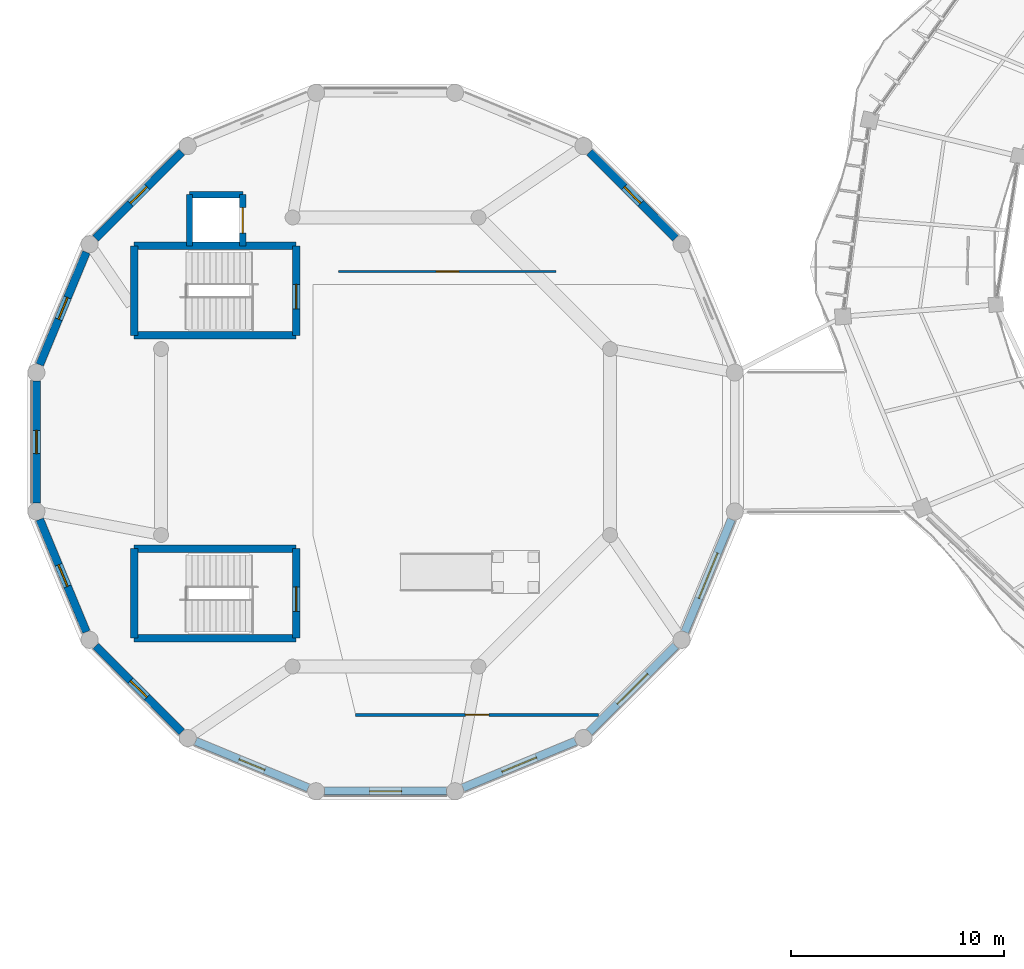
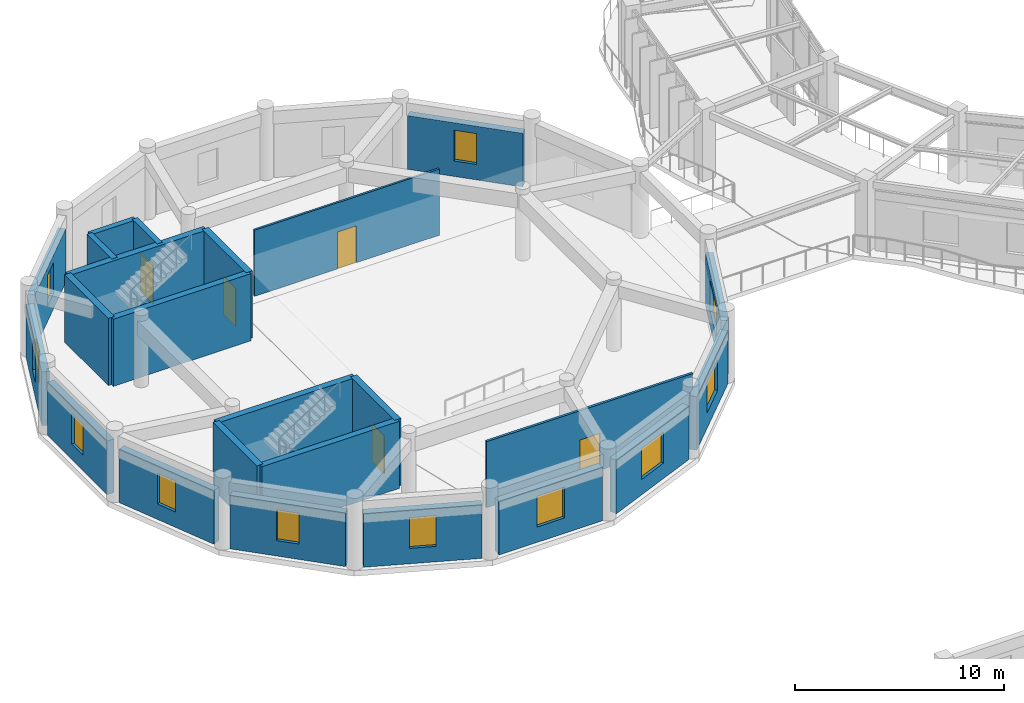
# One storey, part 122 of 152: 24 walls, 11 windows, 5 doors, 16 openings.
"""IFC4 building model written with IfcOpenShell, lengths in metres."""

from ifc_helpers import new_model, si_unit, direction, frame, frame_2d, origin, place, context, subcontext, project, spatial, rectangle, extrude, material, layer, layer_set, type_object, element, fill, save


model = new_model("IFC4")

# Units and contexts
model_context = context("Model", 3, precision=1e-05, world=origin(), true_north=direction((0.0, 1.0)))
body_context = subcontext(model_context, "Body", "Model", "MODEL_VIEW")
ifc_project = project(units=[si_unit("LENGTHUNIT", "METRE"), si_unit("AREAUNIT", "SQUARE_METRE"), si_unit("VOLUMEUNIT", "CUBIC_METRE"), si_unit("PLANEANGLEUNIT", "RADIAN"), si_unit("MASSUNIT", "GRAM", prefix="KILO"), si_unit("THERMODYNAMICTEMPERATUREUNIT", "KELVIN"), si_unit("POWERUNIT", "WATT")], contexts=[model_context])

# Site, building, storey
site_placement = place(None, origin())
site = spatial("IfcSite", under=ifc_project, at=site_placement, CompositionType="ELEMENT")
building_placement = place(site_placement, origin())
building = spatial("IfcBuilding", under=site, at=building_placement, Name="Darbajah Civic Hall", CompositionType="ELEMENT")
storey_placement = place(building_placement, frame((0.0, 0.0, 5.39990234375)))
storey = spatial("IfcBuildingStorey", under=building, at=storey_placement, Name="L01", CompositionType="ELEMENT", Elevation=5.39990234375)

# Walls
ifc_material_1 = material(Name="Concrete C45/55", Category="concrete")
ifc_layer_1 = layer(ifc_material_1, 0.300048828125, Name="Concrete C45/55")
ifc_layer_set_1 = layer_set([ifc_layer_1], Name="Concrete C45/55")
wall_type_1 = type_object("IfcWallType", Name="Core Shear Wall 300mm", PredefinedType="SHEAR", material=ifc_layer_set_1)
wall_1_placement = place(storey_placement, frame((10.10009765625, 93.199951171875, 0.0), z_axis=(0.0, 0.0, 1.0), x_axis=(-1.0, 0.0, 0.0)))
element("IfcWall", 1, at=wall_1_placement, inside=storey, type_object=wall_type_1, Name="L01 lift PL2 shaft wall N", PredefinedType="SHEAR", context=body_context, shape_type="SweptSolid", body=[
    extrude(rectangle(XDim=2.5, YDim=0.300048828125, at=frame_2d((1.25, 0.0))), origin(), (0.0, 0.0, 1.0), 3.920166015625),
])
wall_2_placement = place(storey_placement, frame((7.60009765625, 93.199951171875, 0.0), z_axis=(0.0, 0.0, 1.0), x_axis=(0.0, -1.0, 0.0)))
element("IfcWall", 2, at=wall_2_placement, inside=storey, type_object=wall_type_1, Name="L01 lift PL2 shaft wall W", PredefinedType="SHEAR", context=body_context, shape_type="SweptSolid", body=[
    extrude(rectangle(XDim=2.39990234375, YDim=0.300048828125, at=frame_2d((1.199951171875, 0.0))), origin(), (0.0, 0.0, 1.0), 3.920166015625),
])

# Wall, opening, door
wall_3_placement = place(storey_placement, frame((10.10009765625, 90.800048828125, 0.0), z_axis=(0.0, 0.0, 1.0), x_axis=(0.0, 1.0, 0.0)))
wall_3 = element("IfcWall", 3, at=wall_3_placement, inside=storey, type_object=wall_type_1, Name="L01 lift PL2 shaft wall E", PredefinedType="SHEAR", context=body_context, shape_type="SweptSolid", body=[
    extrude(rectangle(XDim=2.39990234375, YDim=0.300048828125, at=frame_2d((1.199951171875, 0.0))), origin(), (0.0, 0.0, 1.0), 3.920166015625),
])
opening_1_placement = place(wall_3_placement, frame((0.60009765625, 0.0, 0.0)))
opening_1 = element("IfcOpeningElement", 4, at=opening_1_placement, cuts=wall_3, Name="Opening LD-0064", PredefinedType="OPENING", context=body_context, shape_type="SweptSolid", body=[
    extrude(rectangle(XDim=1.199951171875, YDim=2.25, at=frame_2d((0.60009765625, 1.125))), frame((0.0, 0.159912109375, 0.0), z_axis=(0.0, -1.0, 0.0), x_axis=(1.0, 0.0, 0.0)), (0.0, 0.0, 1.0), 0.320068359375),
])
ifc_material_2 = material(Name="Stainless Lift Landing Door")
door_type_1 = type_object("IfcDoorType", Name="Lift Landing Door 1200x2250", OperationType="SLIDING_TO_LEFT", PredefinedType="DOOR", material=ifc_material_2)
door_1_placement = place(opening_1_placement, origin())
door_1 = element("IfcDoor", 5, at=door_1_placement, inside=storey, type_object=door_type_1, Name="L01 lift PL2 landing door LD-0064", OperationType="SLIDING_TO_LEFT", OverallHeight=2.25, OverallWidth=1.199951171875, PredefinedType="DOOR", context=body_context, shape_type="SweptSolid", body=[
    extrude(rectangle(XDim=1.199951171875, YDim=2.25, at=frame_2d((0.60009765625, 1.125))), frame((0.0, 0.02490234375, 0.0), z_axis=(0.0, -1.0, 0.0), x_axis=(1.0, 0.0, 0.0)), (0.0, 0.0, 1.0), 0.050048828125),
])
fill(opening_1, door_1)

# Wall
ifc_material_3 = material(Name="Concrete C50/60", Category="concrete")
ifc_layer_2 = layer(ifc_material_3, 0.35009765625, Name="Concrete C50/60")
ifc_layer_set_2 = layer_set([ifc_layer_2], Name="Concrete C50/60")
wall_type_2 = type_object("IfcWallType", Name="Core Shear Wall 350mm", PredefinedType="SHEAR", material=ifc_layer_set_2)
wall_4_placement = place(storey_placement, frame((5.0, 86.60009765625, 0.0), z_axis=(0.0, 0.0, 1.0), x_axis=(1.0, 0.0, 0.0)))
element("IfcWall", 6, at=wall_4_placement, inside=storey, type_object=wall_type_2, Name="L01 core C04 shear wall S", PredefinedType="SHEAR", context=body_context, shape_type="SweptSolid", body=[
    extrude(rectangle(XDim=7.60009765625, YDim=0.35009765625, at=frame_2d((3.800048828125, 0.0))), origin(), (0.0, 0.0, 1.0), 3.920166015625),
])

# Wall, opening, door
wall_5_placement = place(storey_placement, frame((12.60009765625, 86.60009765625, 0.0), z_axis=(0.0, 0.0, 1.0), x_axis=(0.0, 1.0, 0.0)))
wall_5 = element("IfcWall", 7, at=wall_5_placement, inside=storey, type_object=wall_type_2, Name="L01 core C04 shear wall E", PredefinedType="SHEAR", context=body_context, shape_type="SweptSolid", body=[
    extrude(rectangle(XDim=4.199951171875, YDim=0.35009765625, at=frame_2d((2.10009765625, 0.0))), origin(), (0.0, 0.0, 1.0), 3.920166015625),
])
opening_2_placement = place(wall_5_placement, frame((1.25, 0.0, 0.0)))
opening_2 = element("IfcOpeningElement", 8, at=opening_2_placement, cuts=wall_5, Name="Opening SD-0059", PredefinedType="OPENING", context=body_context, shape_type="SweptSolid", body=[
    extrude(rectangle(XDim=1.14990234375, YDim=2.199951171875, at=frame_2d((0.574951171875, 1.10009765625))), frame((0.0, 0.18505859375, 0.0), z_axis=(0.0, -1.0, 0.0), x_axis=(1.0, 0.0, 0.0)), (0.0, 0.0, 1.0), 0.3701171875),
])
ifc_material_4 = material(Name="Steel Rated Core Door", Category="steel")
door_type_2 = type_object("IfcDoorType", Name="Interior Door 1150x2200", OperationType="NOTDEFINED", PredefinedType="DOOR", material=ifc_material_4)
door_2_placement = place(opening_2_placement, origin())
door_2 = element("IfcDoor", 9, at=door_2_placement, inside=storey, type_object=door_type_2, Name="L01 stair ST04 fire door SD-0059", OperationType="SINGLE_SWING_RIGHT", OverallHeight=2.199951171875, OverallWidth=1.14990234375, PredefinedType="DOOR", context=body_context, shape_type="SweptSolid", body=[
    extrude(rectangle(XDim=1.14990234375, YDim=2.199951171875, at=frame_2d((0.574951171875, 1.10009765625))), frame((0.0, 0.02490234375, 0.0), z_axis=(0.0, -1.0, 0.0), x_axis=(1.0, 0.0, 0.0)), (0.0, 0.0, 1.0), 0.050048828125),
])
fill(opening_2, door_2)

# Walls
wall_6_placement = place(storey_placement, frame((12.60009765625, 90.800048828125, 0.0), z_axis=(0.0, 0.0, 1.0), x_axis=(-1.0, 0.0, 0.0)))
element("IfcWall", 10, at=wall_6_placement, inside=storey, type_object=wall_type_2, Name="L01 core C04 shear wall N", PredefinedType="SHEAR", context=body_context, shape_type="SweptSolid", body=[
    extrude(rectangle(XDim=7.60009765625, YDim=0.35009765625, at=frame_2d((3.800048828125, 0.0))), origin(), (0.0, 0.0, 1.0), 3.920166015625),
])
wall_7_placement = place(storey_placement, frame((5.0, 90.800048828125, 0.0), z_axis=(0.0, 0.0, 1.0), x_axis=(0.0, -1.0, 0.0)))
element("IfcWall", 11, at=wall_7_placement, inside=storey, type_object=wall_type_2, Name="L01 core C04 shear wall W", PredefinedType="SHEAR", context=body_context, shape_type="SweptSolid", body=[
    extrude(rectangle(XDim=4.199951171875, YDim=0.35009765625, at=frame_2d((2.10009765625, 0.0))), origin(), (0.0, 0.0, 1.0), 3.920166015625),
])
wall_8_placement = place(storey_placement, frame((5.0, 72.39990234375, 0.0), z_axis=(0.0, 0.0, 1.0), x_axis=(1.0, 0.0, 0.0)))
element("IfcWall", 12, at=wall_8_placement, inside=storey, type_object=wall_type_2, Name="L01 core C05 shear wall S", PredefinedType="SHEAR", context=body_context, shape_type="SweptSolid", body=[
    extrude(rectangle(XDim=7.60009765625, YDim=0.35009765625, at=frame_2d((3.800048828125, 0.0))), origin(), (0.0, 0.0, 1.0), 3.920166015625),
])

# Wall, opening, door
wall_9_placement = place(storey_placement, frame((12.60009765625, 72.39990234375, 0.0), z_axis=(0.0, 0.0, 1.0), x_axis=(0.0, 1.0, 0.0)))
wall_9 = element("IfcWall", 13, at=wall_9_placement, inside=storey, type_object=wall_type_2, Name="L01 core C05 shear wall E", PredefinedType="SHEAR", context=body_context, shape_type="SweptSolid", body=[
    extrude(rectangle(XDim=4.2001953125, YDim=0.35009765625, at=frame_2d((2.10009765625, 0.0))), origin(), (0.0, 0.0, 1.0), 3.920166015625),
])
opening_3_placement = place(wall_9_placement, frame((1.25, 0.0, 0.0)))
opening_3 = element("IfcOpeningElement", 14, at=opening_3_placement, cuts=wall_9, Name="Opening SD-0069", PredefinedType="OPENING", context=body_context, shape_type="SweptSolid", body=[
    extrude(rectangle(XDim=1.14990234375, YDim=2.199951171875, at=frame_2d((0.574951171875, 1.10009765625))), frame((0.0, 0.18505859375, 0.0), z_axis=(0.0, -1.0, 0.0), x_axis=(1.0, 0.0, 0.0)), (0.0, 0.0, 1.0), 0.3701171875),
])
door_3_placement = place(opening_3_placement, origin())
door_3 = element("IfcDoor", 15, at=door_3_placement, inside=storey, type_object=door_type_2, Name="L01 stair ST05 fire door SD-0069", OperationType="SINGLE_SWING_RIGHT", OverallHeight=2.199951171875, OverallWidth=1.14990234375, PredefinedType="DOOR", context=body_context, shape_type="SweptSolid", body=[
    extrude(rectangle(XDim=1.14990234375, YDim=2.199951171875, at=frame_2d((0.574951171875, 1.10009765625))), frame((0.0, 0.02490234375, 0.0), z_axis=(0.0, -1.0, 0.0), x_axis=(1.0, 0.0, 0.0)), (0.0, 0.0, 1.0), 0.050048828125),
])
fill(opening_3, door_3)

# Walls
wall_10_placement = place(storey_placement, frame((12.60009765625, 76.60009765625, 0.0), z_axis=(0.0, 0.0, 1.0), x_axis=(-1.0, 0.0, 0.0)))
element("IfcWall", 16, at=wall_10_placement, inside=storey, type_object=wall_type_2, Name="L01 core C05 shear wall N", PredefinedType="SHEAR", context=body_context, shape_type="SweptSolid", body=[
    extrude(rectangle(XDim=7.60009765625, YDim=0.35009765625, at=frame_2d((3.800048828125, 0.0))), origin(), (0.0, 0.0, 1.0), 3.920166015625),
])
wall_11_placement = place(storey_placement, frame((5.0, 76.60009765625, 0.0), z_axis=(0.0, 0.0, 1.0), x_axis=(0.0, -1.0, 0.0)))
element("IfcWall", 17, at=wall_11_placement, inside=storey, type_object=wall_type_2, Name="L01 core C05 shear wall W", PredefinedType="SHEAR", context=body_context, shape_type="SweptSolid", body=[
    extrude(rectangle(XDim=4.2001953125, YDim=0.35009765625, at=frame_2d((2.10009765625, 0.0))), origin(), (0.0, 0.0, 1.0), 3.920166015625),
])

# Wall, opening, window
ifc_material_5 = material(Name="Red Dholpur Sandstone Cladding", Category="masonry")
ifc_layer_3 = layer(ifc_material_5, 0.3798828125, Name="Red Dholpur Sandstone Cladding")
ifc_layer_set_3 = layer_set([ifc_layer_3], Name="Red Dholpur Sandstone Cladding")
wall_type_3 = type_object("IfcWallType", Name="Exterior Wall 380mm", PredefinedType="SOLIDWALL", material=ifc_layer_set_3)
wall_12_placement = place(storey_placement, frame((30.402099609375, 91.162841796875, 0.0), z_axis=(0.0, 0.0, 1.0), x_axis=(-0.707128150708, 0.707085411019, 0.0)))
wall_12 = element("IfcWall", 18, at=wall_12_placement, inside=storey, type_object=wall_type_3, Name="L01 exterior wall EW-380", PredefinedType="SOLIDWALL", context=body_context, shape_type="SweptSolid", body=[
    extrude(rectangle(XDim=5.712158203125, YDim=0.3798828125, at=frame_2d((2.85595703125, 0.0))), origin(), (0.0, 0.0, 1.0), 3.130126953125),
])
opening_4_placement = place(wall_12_placement, frame((2.30615234375, 0.0, 0.89990234375)))
opening_4 = element("IfcOpeningElement", 19, at=opening_4_placement, cuts=wall_12, Name="Opening WN-17", PredefinedType="OPENING", context=body_context, shape_type="SweptSolid", body=[
    extrude(rectangle(XDim=1.10009765625, YDim=1.800048828125, at=frame_2d((0.550048828125, 0.89990234375))), frame((0.0, 0.199951171875, 0.0), z_axis=(0.0, -1.0, 0.0), x_axis=(1.0, 0.0, 0.0)), (0.0, 0.0, 1.0), 0.39990234375),
])
ifc_material_6 = material(Name="Low-E Solar Control Double Glazing", Category="glass")
window_type_1 = type_object("IfcWindowType", Name="Facade Window 1100x1800", PartitioningType="SINGLE_PANEL", PredefinedType="WINDOW", material=ifc_material_6)
window_1_placement = place(opening_4_placement, origin())
window_1 = element("IfcWindow", 20, at=window_1_placement, inside=storey, type_object=window_type_1, Name="L01 facade window WN-17", OverallHeight=1.800048828125, OverallWidth=1.10009765625, PartitioningType="SINGLE_PANEL", PredefinedType="WINDOW", context=body_context, shape_type="SweptSolid", body=[
    extrude(rectangle(XDim=1.10009765625, YDim=1.800048828125, at=frame_2d((0.550048828125, 0.89990234375))), frame((0.0, 0.030029296875, 0.0), z_axis=(0.0, -1.0, 0.0), x_axis=(1.0, 0.0, 0.0)), (0.0, 0.0, 1.0), 0.06005859375),
])
fill(opening_4, window_1)

wall_13_placement = place(storey_placement, frame((7.2373046875, 95.201904296875, 0.0), z_axis=(0.0, 0.0, 1.0), x_axis=(-0.707128150708, -0.707085411019, 0.0)))
wall_13 = element("IfcWall", 21, at=wall_13_placement, inside=storey, type_object=wall_type_3, Name="L01 exterior wall EW-380", PredefinedType="SOLIDWALL", context=body_context, shape_type="SweptSolid", body=[
    extrude(rectangle(XDim=5.712158203125, YDim=0.3798828125, at=frame_2d((2.85595703125, 0.0))), origin(), (0.0, 0.0, 1.0), 3.130126953125),
])
opening_5_placement = place(wall_13_placement, frame((2.30615234375, 0.0, 0.89990234375)))
opening_5 = element("IfcOpeningElement", 22, at=opening_5_placement, cuts=wall_13, Name="Opening WN-17", PredefinedType="OPENING", context=body_context, shape_type="SweptSolid", body=[
    extrude(rectangle(XDim=1.10009765625, YDim=1.800048828125, at=frame_2d((0.550048828125, 0.89990234375))), frame((0.0, 0.199951171875, 0.0), z_axis=(0.0, -1.0, 0.0), x_axis=(1.0, 0.0, 0.0)), (0.0, 0.0, 1.0), 0.39990234375),
])
window_2_placement = place(opening_5_placement, origin())
window_2 = element("IfcWindow", 23, at=window_2_placement, inside=storey, type_object=window_type_1, Name="L01 facade window WN-17", OverallHeight=1.800048828125, OverallWidth=1.10009765625, PartitioningType="SINGLE_PANEL", PredefinedType="WINDOW", context=body_context, shape_type="SweptSolid", body=[
    extrude(rectangle(XDim=1.10009765625, YDim=1.800048828125, at=frame_2d((0.550048828125, 0.89990234375))), frame((0.0, 0.030029296875, 0.0), z_axis=(0.0, -1.0, 0.0), x_axis=(1.0, 0.0, 0.0)), (0.0, 0.0, 1.0), 0.06005859375),
])
fill(opening_5, window_2)

wall_14_placement = place(storey_placement, frame((2.760009765625, 90.507080078125, 0.0), z_axis=(0.0, 0.0, 1.0), x_axis=(-0.382717920232, -0.923865246415, 0.0)))
wall_14 = element("IfcWall", 24, at=wall_14_placement, inside=storey, type_object=wall_type_3, Name="L01 exterior wall EW-380", PredefinedType="SOLIDWALL", context=body_context, shape_type="SweptSolid", body=[
    extrude(rectangle(XDim=5.71240234375, YDim=0.3798828125, at=frame_2d((2.856201171875, 0.0))), origin(), (0.0, 0.0, 1.0), 3.130126953125),
])
opening_6_placement = place(wall_14_placement, frame((2.30615234375, 0.0, 0.89990234375)))
opening_6 = element("IfcOpeningElement", 25, at=opening_6_placement, cuts=wall_14, Name="Opening WN-17", PredefinedType="OPENING", context=body_context, shape_type="SweptSolid", body=[
    extrude(rectangle(XDim=1.10009765625, YDim=1.800048828125, at=frame_2d((0.550048828125, 0.89990234375))), frame((0.0, 0.199951171875, 0.0), z_axis=(0.0, -1.0, 0.0), x_axis=(1.0, 0.0, 0.0)), (0.0, 0.0, 1.0), 0.39990234375),
])
window_3_placement = place(opening_6_placement, origin())
window_3 = element("IfcWindow", 26, at=window_3_placement, inside=storey, type_object=window_type_1, Name="L01 facade window WN-17", OverallHeight=1.800048828125, OverallWidth=1.10009765625, PartitioningType="SINGLE_PANEL", PredefinedType="WINDOW", context=body_context, shape_type="SweptSolid", body=[
    extrude(rectangle(XDim=1.10009765625, YDim=1.800048828125, at=frame_2d((0.550048828125, 0.89990234375))), frame((0.0, 0.030029296875, 0.0), z_axis=(0.0, -1.0, 0.0), x_axis=(1.0, 0.0, 0.0)), (0.0, 0.0, 1.0), 0.06005859375),
])
fill(opening_6, window_3)

wall_15_placement = place(storey_placement, frame((0.419921875, 84.456298828125, 0.0), z_axis=(0.0, 0.0, 1.0), x_axis=(0.0, -1.0, 0.0)))
wall_15 = element("IfcWall", 27, at=wall_15_placement, inside=storey, type_object=wall_type_3, Name="L01 exterior wall EW-380", PredefinedType="SOLIDWALL", context=body_context, shape_type="SweptSolid", body=[
    extrude(rectangle(XDim=5.71240234375, YDim=0.3798828125, at=frame_2d((2.856201171875, 0.0))), origin(), (0.0, 0.0, 1.0), 3.130126953125),
])
opening_7_placement = place(wall_15_placement, frame((2.30615234375, 0.0, 0.89990234375)))
opening_7 = element("IfcOpeningElement", 28, at=opening_7_placement, cuts=wall_15, Name="Opening WN-17", PredefinedType="OPENING", context=body_context, shape_type="SweptSolid", body=[
    extrude(rectangle(XDim=1.10009765625, YDim=1.800048828125, at=frame_2d((0.550048828125, 0.89990234375))), frame((0.0, 0.199951171875, 0.0), z_axis=(0.0, -1.0, 0.0), x_axis=(1.0, 0.0, 0.0)), (0.0, 0.0, 1.0), 0.39990234375),
])
window_4_placement = place(opening_7_placement, origin())
window_4 = element("IfcWindow", 29, at=window_4_placement, inside=storey, type_object=window_type_1, Name="L01 facade window WN-17", OverallHeight=1.800048828125, OverallWidth=1.10009765625, PartitioningType="SINGLE_PANEL", PredefinedType="WINDOW", context=body_context, shape_type="SweptSolid", body=[
    extrude(rectangle(XDim=1.10009765625, YDim=1.800048828125, at=frame_2d((0.550048828125, 0.89990234375))), frame((0.0, 0.030029296875, 0.0), z_axis=(0.0, -1.0, 0.0), x_axis=(1.0, 0.0, 0.0)), (0.0, 0.0, 1.0), 0.06005859375),
])
fill(opening_7, window_4)

wall_16_placement = place(storey_placement, frame((0.57373046875, 77.970458984375, 0.0), z_axis=(0.0, 0.0, 1.0), x_axis=(0.382717920232, -0.923865246415, 0.0)))
wall_16 = element("IfcWall", 30, at=wall_16_placement, inside=storey, type_object=wall_type_3, Name="L01 exterior wall EW-380", PredefinedType="SOLIDWALL", context=body_context, shape_type="SweptSolid", body=[
    extrude(rectangle(XDim=5.71240234375, YDim=0.3798828125, at=frame_2d((2.856201171875, 0.0))), origin(), (0.0, 0.0, 1.0), 3.130126953125),
])
opening_8_placement = place(wall_16_placement, frame((2.30615234375, 0.0, 0.89990234375)))
opening_8 = element("IfcOpeningElement", 31, at=opening_8_placement, cuts=wall_16, Name="Opening WN-17", PredefinedType="OPENING", context=body_context, shape_type="SweptSolid", body=[
    extrude(rectangle(XDim=1.10009765625, YDim=1.800048828125, at=frame_2d((0.550048828125, 0.89990234375))), frame((0.0, 0.199951171875, 0.0), z_axis=(0.0, -1.0, 0.0), x_axis=(1.0, 0.0, 0.0)), (0.0, 0.0, 1.0), 0.39990234375),
])
window_5_placement = place(opening_8_placement, origin())
window_5 = element("IfcWindow", 32, at=window_5_placement, inside=storey, type_object=window_type_1, Name="L01 facade window WN-17", OverallHeight=1.800048828125, OverallWidth=1.10009765625, PartitioningType="SINGLE_PANEL", PredefinedType="WINDOW", context=body_context, shape_type="SweptSolid", body=[
    extrude(rectangle(XDim=1.10009765625, YDim=1.800048828125, at=frame_2d((0.550048828125, 0.89990234375))), frame((0.0, 0.030029296875, 0.0), z_axis=(0.0, -1.0, 0.0), x_axis=(1.0, 0.0, 0.0)), (0.0, 0.0, 1.0), 0.06005859375),
])
fill(opening_8, window_5)

wall_17_placement = place(storey_placement, frame((3.197998046875, 72.037109375, 0.0), z_axis=(0.0, 0.0, 1.0), x_axis=(0.707128150708, -0.707085411019, 0.0)))
wall_17 = element("IfcWall", 33, at=wall_17_placement, inside=storey, type_object=wall_type_3, Name="L01 exterior wall EW-380", PredefinedType="SOLIDWALL", context=body_context, shape_type="SweptSolid", body=[
    extrude(rectangle(XDim=5.712158203125, YDim=0.3798828125, at=frame_2d((2.85595703125, 0.0))), origin(), (0.0, 0.0, 1.0), 3.130126953125),
])
opening_9_placement = place(wall_17_placement, frame((2.30615234375, 0.0, 0.89990234375)))
opening_9 = element("IfcOpeningElement", 34, at=opening_9_placement, cuts=wall_17, Name="Opening WN-17", PredefinedType="OPENING", context=body_context, shape_type="SweptSolid", body=[
    extrude(rectangle(XDim=1.10009765625, YDim=1.800048828125, at=frame_2d((0.550048828125, 0.89990234375))), frame((0.0, 0.199951171875, 0.0), z_axis=(0.0, -1.0, 0.0), x_axis=(1.0, 0.0, 0.0)), (0.0, 0.0, 1.0), 0.39990234375),
])
window_6_placement = place(opening_9_placement, origin())
window_6 = element("IfcWindow", 35, at=window_6_placement, inside=storey, type_object=window_type_1, Name="L01 facade window WN-17", OverallHeight=1.800048828125, OverallWidth=1.10009765625, PartitioningType="SINGLE_PANEL", PredefinedType="WINDOW", context=body_context, shape_type="SweptSolid", body=[
    extrude(rectangle(XDim=1.10009765625, YDim=1.800048828125, at=frame_2d((0.550048828125, 0.89990234375))), frame((0.0, 0.030029296875, 0.0), z_axis=(0.0, -1.0, 0.0), x_axis=(1.0, 0.0, 0.0)), (0.0, 0.0, 1.0), 0.06005859375),
])
fill(opening_9, window_6)

wall_18_placement = place(storey_placement, frame((7.892822265625, 67.559814453125, 0.0), z_axis=(0.0, 0.0, 1.0), x_axis=(0.923880357201, -0.382681441383, 0.0)))
wall_18 = element("IfcWall", 36, at=wall_18_placement, inside=storey, type_object=wall_type_3, Name="L01 exterior wall EW-380", PredefinedType="SOLIDWALL", context=body_context, shape_type="SweptSolid", body=[
    extrude(rectangle(XDim=5.71240234375, YDim=0.3798828125, at=frame_2d((2.856201171875, 0.0))), origin(), (0.0, 0.0, 1.0), 3.130126953125),
])
opening_10_placement = place(wall_18_placement, frame((2.206298828125, 0.0, 0.89990234375)))
opening_10 = element("IfcOpeningElement", 37, at=opening_10_placement, cuts=wall_18, Name="Opening WN-18", PredefinedType="OPENING", context=body_context, shape_type="SweptSolid", body=[
    extrude(rectangle(XDim=1.300048828125, YDim=1.800048828125, at=frame_2d((0.64990234375, 0.89990234375))), frame((0.0, 0.199951171875, 0.0), z_axis=(0.0, -1.0, 0.0), x_axis=(1.0, 0.0, 0.0)), (0.0, 0.0, 1.0), 0.39990234375),
])
window_type_2 = type_object("IfcWindowType", Name="Facade Window 1300x1800", PartitioningType="SINGLE_PANEL", PredefinedType="WINDOW", material=ifc_material_6)
window_7_placement = place(opening_10_placement, origin())
window_7 = element("IfcWindow", 38, at=window_7_placement, inside=storey, type_object=window_type_2, Name="L01 facade window WN-18", OverallHeight=1.800048828125, OverallWidth=1.300048828125, PartitioningType="SINGLE_PANEL", PredefinedType="WINDOW", context=body_context, shape_type="SweptSolid", body=[
    extrude(rectangle(XDim=1.300048828125, YDim=1.800048828125, at=frame_2d((0.64990234375, 0.89990234375))), frame((0.0, 0.030029296875, 0.0), z_axis=(0.0, -1.0, 0.0), x_axis=(1.0, 0.0, 0.0)), (0.0, 0.0, 1.0), 0.06005859375),
])
fill(opening_10, window_7)

wall_19_placement = place(storey_placement, frame((13.94384765625, 65.219970703125, 0.0), z_axis=(0.0, 0.0, 1.0), x_axis=(1.0, 0.0, 0.0)))
wall_19 = element("IfcWall", 39, at=wall_19_placement, inside=storey, type_object=wall_type_3, Name="L01 exterior wall EW-380", PredefinedType="SOLIDWALL", context=body_context, shape_type="SweptSolid", body=[
    extrude(rectangle(XDim=5.71240234375, YDim=0.3798828125, at=frame_2d((2.856201171875, 0.0))), origin(), (0.0, 0.0, 1.0), 3.130126953125),
])
opening_11_placement = place(wall_19_placement, frame((2.106201171875, 0.0, 0.89990234375)))
opening_11 = element("IfcOpeningElement", 40, at=opening_11_placement, cuts=wall_19, Name="Opening WN-19", PredefinedType="OPENING", context=body_context, shape_type="SweptSolid", body=[
    extrude(rectangle(XDim=1.5, YDim=1.800048828125, at=frame_2d((0.75, 0.89990234375))), frame((0.0, 0.199951171875, 0.0), z_axis=(0.0, -1.0, 0.0), x_axis=(1.0, 0.0, 0.0)), (0.0, 0.0, 1.0), 0.39990234375),
])
window_type_3 = type_object("IfcWindowType", Name="Facade Window 1500x1800", PartitioningType="SINGLE_PANEL", PredefinedType="WINDOW", material=ifc_material_6)
window_8_placement = place(opening_11_placement, origin())
window_8 = element("IfcWindow", 41, at=window_8_placement, inside=storey, type_object=window_type_3, Name="L01 facade window WN-19", OverallHeight=1.800048828125, OverallWidth=1.5, PartitioningType="SINGLE_PANEL", PredefinedType="WINDOW", context=body_context, shape_type="SweptSolid", body=[
    extrude(rectangle(XDim=1.5, YDim=1.800048828125, at=frame_2d((0.75, 0.89990234375))), frame((0.0, 0.030029296875, 0.0), z_axis=(0.0, -1.0, 0.0), x_axis=(1.0, 0.0, 0.0)), (0.0, 0.0, 1.0), 0.06005859375),
])
fill(opening_11, window_8)

wall_20_placement = place(storey_placement, frame((20.4296875, 65.373779296875, 0.0), z_axis=(0.0, 0.0, 1.0), x_axis=(0.923874097972, 0.382696552241, 0.0)))
wall_20 = element("IfcWall", 42, at=wall_20_placement, inside=storey, type_object=wall_type_3, Name="L01 exterior wall EW-380", PredefinedType="SOLIDWALL", context=body_context, shape_type="SweptSolid", body=[
    extrude(rectangle(XDim=5.712158203125, YDim=0.3798828125, at=frame_2d((2.85595703125, 0.0))), origin(), (0.0, 0.0, 1.0), 3.130126953125),
])
opening_12_placement = place(wall_20_placement, frame((1.981201171875, 0.0, 0.89990234375)))
opening_12 = element("IfcOpeningElement", 43, at=opening_12_placement, cuts=wall_20, Name="Opening WN-20", PredefinedType="OPENING", context=body_context, shape_type="SweptSolid", body=[
    extrude(rectangle(XDim=1.75, YDim=1.800048828125, at=frame_2d((0.875, 0.89990234375))), frame((0.0, 0.199951171875, 0.0), z_axis=(0.0, -1.0, 0.0), x_axis=(1.0, 0.0, 0.0)), (0.0, 0.0, 1.0), 0.39990234375),
])
window_type_4 = type_object("IfcWindowType", Name="Facade Window 1750x1800", PartitioningType="DOUBLE_PANEL_VERTICAL", PredefinedType="WINDOW", material=ifc_material_6)
window_9_placement = place(opening_12_placement, origin())
window_9 = element("IfcWindow", 44, at=window_9_placement, inside=storey, type_object=window_type_4, Name="L01 facade window WN-20", OverallHeight=1.800048828125, OverallWidth=1.75, PartitioningType="SINGLE_PANEL", PredefinedType="WINDOW", context=body_context, shape_type="SweptSolid", body=[
    extrude(rectangle(XDim=1.75, YDim=1.800048828125, at=frame_2d((0.875, 0.89990234375))), frame((0.0, 0.030029296875, 0.0), z_axis=(0.0, -1.0, 0.0), x_axis=(1.0, 0.0, 0.0)), (0.0, 0.0, 1.0), 0.06005859375),
])
fill(opening_12, window_9)

wall_21_placement = place(storey_placement, frame((26.36279296875, 67.998046875, 0.0), z_axis=(0.0, 0.0, 1.0), x_axis=(0.707128150708, 0.707085411019, 0.0)))
wall_21 = element("IfcWall", 45, at=wall_21_placement, inside=storey, type_object=wall_type_3, Name="L01 exterior wall EW-380", PredefinedType="SOLIDWALL", context=body_context, shape_type="SweptSolid", body=[
    extrude(rectangle(XDim=5.712158203125, YDim=0.3798828125, at=frame_2d((2.85595703125, 0.0))), origin(), (0.0, 0.0, 1.0), 3.130126953125),
])
opening_13_placement = place(wall_21_placement, frame((1.856201171875, 0.0, 0.89990234375)))
opening_13 = element("IfcOpeningElement", 46, at=opening_13_placement, cuts=wall_21, Name="Opening WN-21", PredefinedType="OPENING", context=body_context, shape_type="SweptSolid", body=[
    extrude(rectangle(XDim=2.0, YDim=1.800048828125, at=frame_2d((1.0, 0.89990234375))), frame((0.0, 0.199951171875, 0.0), z_axis=(0.0, -1.0, 0.0), x_axis=(1.0, 0.0, 0.0)), (0.0, 0.0, 1.0), 0.39990234375),
])
window_type_5 = type_object("IfcWindowType", Name="Facade Window 2000x1800", PartitioningType="DOUBLE_PANEL_VERTICAL", PredefinedType="WINDOW", material=ifc_material_6)
window_10_placement = place(opening_13_placement, origin())
window_10 = element("IfcWindow", 47, at=window_10_placement, inside=storey, type_object=window_type_5, Name="L01 facade window WN-21", OverallHeight=1.800048828125, OverallWidth=2.0, PartitioningType="SINGLE_PANEL", PredefinedType="WINDOW", context=body_context, shape_type="SweptSolid", body=[
    extrude(rectangle(XDim=2.0, YDim=1.800048828125, at=frame_2d((1.0, 0.89990234375))), frame((0.0, 0.030029296875, 0.0), z_axis=(0.0, -1.0, 0.0), x_axis=(1.0, 0.0, 0.0)), (0.0, 0.0, 1.0), 0.06005859375),
])
fill(opening_13, window_10)

wall_22_placement = place(storey_placement, frame((30.840087890625, 72.69287109375, 0.0), z_axis=(0.0, 0.0, 1.0), x_axis=(0.382681441383, 0.923880357201, 0.0)))
wall_22 = element("IfcWall", 48, at=wall_22_placement, inside=storey, type_object=wall_type_3, Name="L01 exterior wall EW-380", PredefinedType="SOLIDWALL", context=body_context, shape_type="SweptSolid", body=[
    extrude(rectangle(XDim=5.71240234375, YDim=0.3798828125, at=frame_2d((2.856201171875, 0.0))), origin(), (0.0, 0.0, 1.0), 3.130126953125),
])
opening_14_placement = place(wall_22_placement, frame((1.706298828125, 0.0, 0.89990234375)))
opening_14 = element("IfcOpeningElement", 49, at=opening_14_placement, cuts=wall_22, Name="Opening WN-22", PredefinedType="OPENING", context=body_context, shape_type="SweptSolid", body=[
    extrude(rectangle(XDim=2.300048828125, YDim=1.800048828125, at=frame_2d((1.14990234375, 0.89990234375))), frame((0.0, 0.199951171875, 0.0), z_axis=(0.0, -1.0, 0.0), x_axis=(1.0, 0.0, 0.0)), (0.0, 0.0, 1.0), 0.39990234375),
])
window_type_6 = type_object("IfcWindowType", Name="Facade Window 2300x1800", PartitioningType="DOUBLE_PANEL_VERTICAL", PredefinedType="WINDOW", material=ifc_material_6)
window_11_placement = place(opening_14_placement, origin())
window_11 = element("IfcWindow", 50, at=window_11_placement, inside=storey, type_object=window_type_6, Name="L01 facade window WN-22", OverallHeight=1.800048828125, OverallWidth=2.300048828125, PartitioningType="SINGLE_PANEL", PredefinedType="WINDOW", context=body_context, shape_type="SweptSolid", body=[
    extrude(rectangle(XDim=2.300048828125, YDim=1.800048828125, at=frame_2d((1.14990234375, 0.89990234375))), frame((0.0, 0.030029296875, 0.0), z_axis=(0.0, -1.0, 0.0), x_axis=(1.0, 0.0, 0.0)), (0.0, 0.0, 1.0), 0.06005859375),
])
fill(opening_14, window_11)

# Wall, opening, door
ifc_material_7 = material(Name="Acoustic Gypsum Partition")
ifc_layer_4 = layer(ifc_material_7, 0.114990234375, Name="Acoustic Gypsum Partition")
ifc_layer_set_4 = layer_set([ifc_layer_4], Name="Acoustic Gypsum Partition")
wall_type_4 = type_object("IfcWallType", Name="Interior Partition 115mm", PredefinedType="PARTITIONING", material=ifc_layer_set_4)
wall_23_placement = place(storey_placement, frame((14.60009765625, 89.60009765625, 0.0), z_axis=(0.0, 0.0, 1.0), x_axis=(1.0, 0.0, 0.0)))
wall_23 = element("IfcWall", 51, at=wall_23_placement, inside=storey, type_object=wall_type_4, Name="L01 interior partition L01-V2-02", PredefinedType="PARTITIONING", context=body_context, shape_type="SweptSolid", body=[
    extrude(rectangle(XDim=10.199951171875, YDim=0.114990234375, at=frame_2d((5.10009765625, 0.0))), origin(), (0.0, 0.0, 1.0), 3.860107421875),
])
opening_15_placement = place(wall_23_placement, frame((4.574951171875, 0.0, 0.0)))
opening_15 = element("IfcOpeningElement", 52, at=opening_15_placement, cuts=wall_23, Name="Opening D-0184", PredefinedType="OPENING", context=body_context, shape_type="SweptSolid", body=[
    extrude(rectangle(XDim=1.050048828125, YDim=2.14990234375, at=frame_2d((0.52490234375, 1.074951171875))), frame((0.0, 0.0673828125, 0.0), z_axis=(0.0, -1.0, 0.0), x_axis=(1.0, 0.0, 0.0)), (0.0, 0.0, 1.0), 0.135009765625),
])
ifc_material_8 = material(Name="Acoustic Oak Office Door")
door_type_3 = type_object("IfcDoorType", Name="Interior Door 1050x2150", OperationType="NOTDEFINED", PredefinedType="DOOR", material=ifc_material_8)
door_4_placement = place(opening_15_placement, origin())
door_4 = element("IfcDoor", 53, at=door_4_placement, inside=storey, type_object=door_type_3, Name="L01 L01-V2-02 door D-0184", OperationType="SINGLE_SWING_LEFT", OverallHeight=2.14990234375, OverallWidth=1.050048828125, PredefinedType="DOOR", context=body_context, shape_type="SweptSolid", body=[
    extrude(rectangle(XDim=1.050048828125, YDim=2.14990234375, at=frame_2d((0.52490234375, 1.074951171875))), frame((0.0, 0.02490234375, 0.0), z_axis=(0.0, -1.0, 0.0), x_axis=(1.0, 0.0, 0.0)), (0.0, 0.0, 1.0), 0.050048828125),
])
fill(opening_15, door_4)

ifc_material_9 = material(Name="Gypsum Plasterboard on Steel Stud", Category="steel")
ifc_layer_5 = layer(ifc_material_9, 0.135009765625, Name="Gypsum Plasterboard on Steel Stud")
ifc_layer_set_5 = layer_set([ifc_layer_5], Name="Gypsum Plasterboard on Steel Stud")
wall_type_5 = type_object("IfcWallType", Name="Interior Partition 135mm", PredefinedType="PARTITIONING", material=ifc_layer_set_5)
wall_24_placement = place(storey_placement, frame((26.782958984375, 68.800048828125, 0.0), z_axis=(0.0, 0.0, 1.0), x_axis=(-1.0, 0.0, 0.0)))
wall_24 = element("IfcWall", 54, at=wall_24_placement, inside=storey, type_object=wall_type_5, Name="L01 interior partition L01-V2-01", PredefinedType="PARTITIONING", context=body_context, shape_type="SweptSolid", body=[
    extrude(rectangle(XDim=11.383056640625, YDim=0.135009765625, at=frame_2d((5.69140625, 0.0))), origin(), (0.0, 0.0, 1.0), 3.860107421875),
])
opening_16_placement = place(wall_24_placement, frame((5.1416015625, 0.0, 0.0)))
opening_16 = element("IfcOpeningElement", 55, at=opening_16_placement, cuts=wall_24, Name="Opening D-0183", PredefinedType="OPENING", context=body_context, shape_type="SweptSolid", body=[
    extrude(rectangle(XDim=1.10009765625, YDim=2.14990234375, at=frame_2d((0.550048828125, 1.074951171875))), frame((0.0, 0.077392578125, 0.0), z_axis=(0.0, -1.0, 0.0), x_axis=(1.0, 0.0, 0.0)), (0.0, 0.0, 1.0), 0.155029296875),
])
door_type_4 = type_object("IfcDoorType", Name="Interior Door 1100x2150", OperationType="NOTDEFINED", PredefinedType="DOOR", material=ifc_material_8)
door_5_placement = place(opening_16_placement, origin())
door_5 = element("IfcDoor", 56, at=door_5_placement, inside=storey, type_object=door_type_4, Name="L01 L01-V2-01 door D-0183", OperationType="SINGLE_SWING_RIGHT", OverallHeight=2.14990234375, OverallWidth=1.10009765625, PredefinedType="DOOR", context=body_context, shape_type="SweptSolid", body=[
    extrude(rectangle(XDim=1.10009765625, YDim=2.14990234375, at=frame_2d((0.550048828125, 1.074951171875))), frame((0.0, 0.02490234375, 0.0), z_axis=(0.0, -1.0, 0.0), x_axis=(1.0, 0.0, 0.0)), (0.0, 0.0, 1.0), 0.050048828125),
])
fill(opening_16, door_5)

save(model, "model.ifc")
